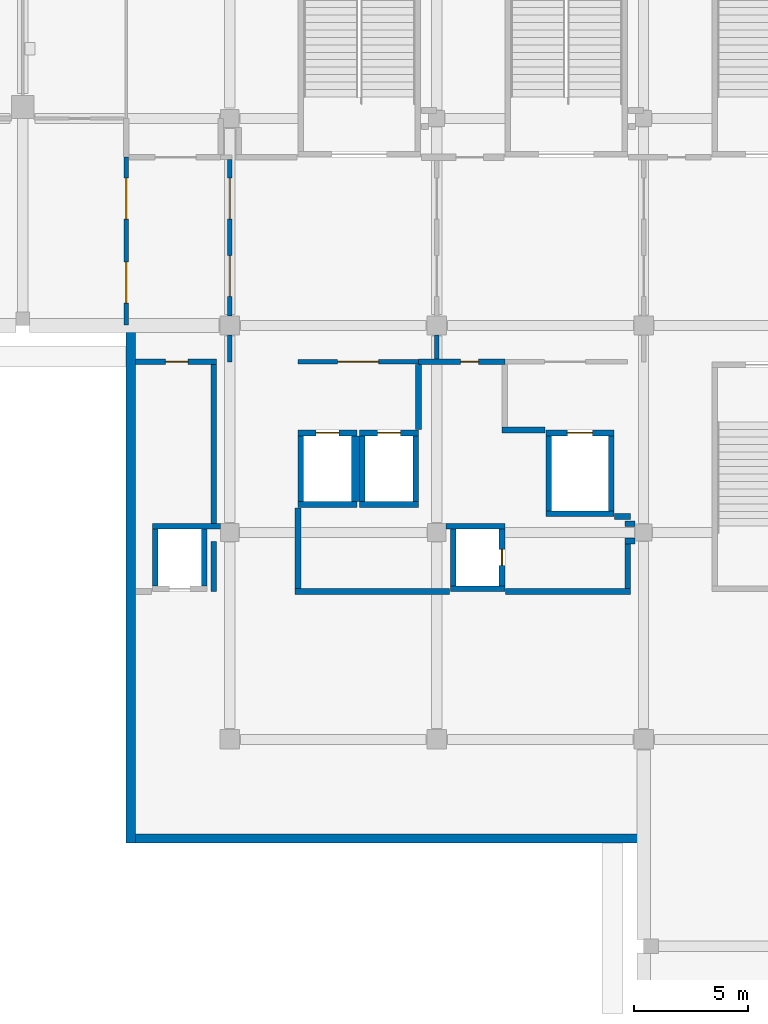
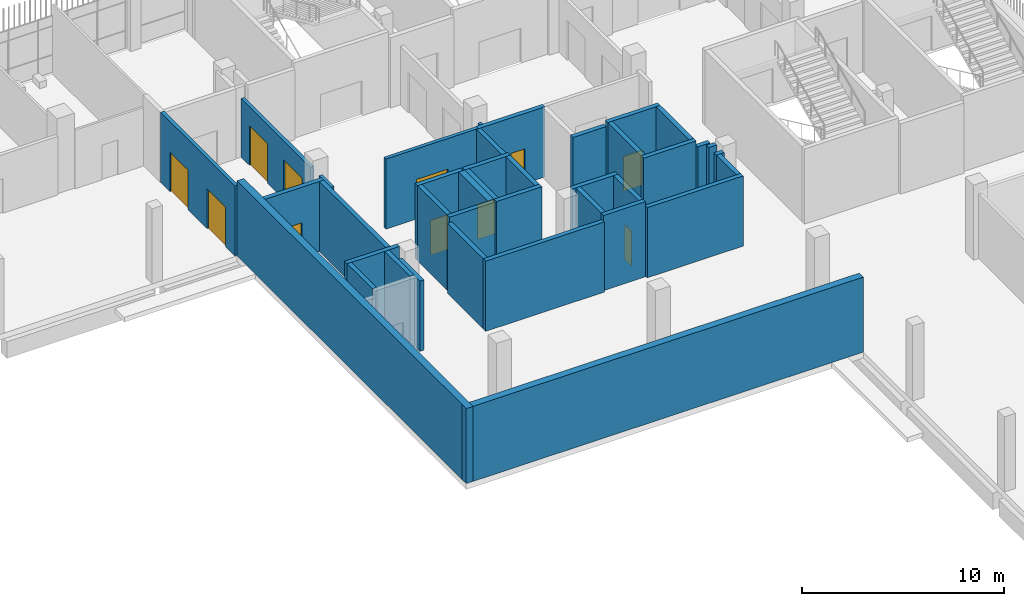
# One storey, part 84 of 126: 39 walls, 11 doors, 11 openings.
"""IFC4 building model written with IfcOpenShell, lengths in metres."""

from ifc_helpers import new_model, si_unit, direction, frame, frame_2d, origin, place, context, subcontext, project, spatial, rectangle, extrude, material, layer, layer_set, type_object, element, fill, save


model = new_model("IFC4")

# Units and contexts
model_context = context("Model", 3, precision=1e-05, world=origin(), true_north=direction((0.0, 1.0)))
body_context = subcontext(model_context, "Body", "Model", "MODEL_VIEW")
ifc_project = project(units=[si_unit("LENGTHUNIT", "METRE"), si_unit("AREAUNIT", "SQUARE_METRE"), si_unit("VOLUMEUNIT", "CUBIC_METRE"), si_unit("PLANEANGLEUNIT", "RADIAN"), si_unit("MASSUNIT", "GRAM", prefix="KILO")], contexts=[model_context])

# Site, building, storey
site_placement = place(None, origin())
site = spatial("IfcSite", under=ifc_project, at=site_placement, CompositionType="ELEMENT")
building_placement = place(site_placement, origin())
building = spatial("IfcBuilding", under=site, at=building_placement, Name="Shirokan Park Arena", CompositionType="ELEMENT")
storey_placement = place(building_placement, frame((0.0, 0.0, 6.3701171875)))
storey = spatial("IfcBuildingStorey", under=building, at=storey_placement, Name="L01", CompositionType="ELEMENT", Elevation=6.3701171875)

# Walls
ifc_material_1 = material(Name="Plaster")
ifc_layer_1 = layer(ifc_material_1, 0.014892578125, Name="Plaster")
ifc_material_2 = material(Name="Concrete blockwork", Category="masonry")
ifc_layer_2 = layer(ifc_material_2, 0.219970703125, Name="Concrete blockwork 220")
ifc_layer_3 = layer(ifc_material_1, 0.014892578125, Name="Plaster")
ifc_layer_set_1 = layer_set([ifc_layer_1, ifc_layer_2, ifc_layer_3], Name="Plaster + Concrete blockwork 220")
wall_type_1 = type_object("IfcWallType", Name="Compartment wall 250", PredefinedType="SOLIDWALL", material=ifc_layer_set_1)
wall_1_placement = place(storey_placement, frame((108.5, 79.300048828125, 0.0), z_axis=(0.0, 0.0, 1.0), x_axis=(0.0, 1.0, 0.0)))
element("IfcWall", 1, at=wall_1_placement, inside=storey, type_object=wall_type_1, Name="Compartment wall 250 L01", PredefinedType="SOLIDWALL", context=body_context, shape_type="SweptSolid", body=[
    extrude(rectangle(XDim=2.199951171875, YDim=0.25, at=frame_2d((1.10009765625, 0.0))), origin(), (0.0, 0.0, 1.0), 4.25),
])
wall_2_placement = place(storey_placement, frame((108.5, 82.300048828125, 0.0), z_axis=(0.0, 0.0, 1.0), x_axis=(0.0, 1.0, 0.0)))
element("IfcWall", 2, at=wall_2_placement, inside=storey, type_object=wall_type_1, Name="Compartment wall 250 L01", PredefinedType="SOLIDWALL", context=body_context, shape_type="SweptSolid", body=[
    extrude(rectangle(XDim=6.974853515625, YDim=0.25, at=frame_2d((3.4873046875, 0.0))), origin(), (0.0, 0.0, 1.0), 4.25),
])

# Wall, opening, door
wall_3_placement = place(storey_placement, frame((108.625, 89.39990234375, 0.0), z_axis=(0.0, 0.0, 1.0), x_axis=(-1.0, 0.0, 0.0)))
wall_3 = element("IfcWall", 3, at=wall_3_placement, inside=storey, type_object=wall_type_1, Name="Compartment wall 250 L01", PredefinedType="SOLIDWALL", context=body_context, shape_type="SweptSolid", body=[
    extrude(rectangle(XDim=3.574951171875, YDim=0.25, at=frame_2d((1.78759765625, 0.0))), origin(), (0.0, 0.0, 1.0), 4.25),
])
opening_1_placement = place(wall_3_placement, frame((1.25, 0.0, 0.0)))
opening_1 = element("IfcOpeningElement", 4, at=opening_1_placement, cuts=wall_3, Name="Opening D-1019", PredefinedType="OPENING", context=body_context, shape_type="SweptSolid", body=[
    extrude(rectangle(XDim=1.0, YDim=2.10009765625, at=frame_2d((0.5, 1.050048828125))), frame((0.0, 0.135009765625, 0.0), z_axis=(0.0, -1.0, 0.0), x_axis=(1.0, 0.0, 0.0)), (0.0, 0.0, 1.0), 0.27001953125),
])
ifc_material_3 = material(Name="Timber door set, fire resisting", Category="wood")
door_type_1 = type_object("IfcDoorType", Name="Door 1000 x 2100", OperationType="SINGLE_SWING_LEFT", PredefinedType="DOOR", material=ifc_material_3)
door_1_placement = place(opening_1_placement, origin())
door_1 = element("IfcDoor", 5, at=door_1_placement, inside=storey, type_object=door_type_1, Name="Door to Kiosk Store 1.39 D-1019", OperationType="SINGLE_SWING_RIGHT", OverallHeight=2.10009765625, OverallWidth=1.0, PredefinedType="DOOR", context=body_context, shape_type="SweptSolid", body=[
    extrude(rectangle(XDim=1.0, YDim=2.10009765625, at=frame_2d((0.5, 1.050048828125))), frame((0.0, 0.02490234375, 0.0), z_axis=(0.0, -1.0, 0.0), x_axis=(1.0, 0.0, 0.0)), (0.0, 0.0, 1.0), 0.050048828125),
])
fill(opening_1, door_1)

# Walls
wall_4_placement = place(storey_placement, frame((112.199951171875, 79.425048828125, 0.0), z_axis=(0.0, 0.0, 1.0), x_axis=(0.0, 1.0, 0.0)))
element("IfcWall", 6, at=wall_4_placement, inside=storey, type_object=wall_type_1, Name="Compartment wall 250 L01", PredefinedType="SOLIDWALL", context=body_context, shape_type="SweptSolid", body=[
    extrude(rectangle(XDim=3.544921875, YDim=0.25, at=frame_2d((1.7724609375, 0.0))), origin(), (0.0, 0.0, 1.0), 4.25),
])
wall_5_placement = place(storey_placement, frame((112.074951171875, 79.300048828125, 0.0), z_axis=(0.0, 0.0, 1.0), x_axis=(1.0, 0.0, 0.0)))
element("IfcWall", 7, at=wall_5_placement, inside=storey, type_object=wall_type_1, Name="Compartment wall 250 L01", PredefinedType="SOLIDWALL", context=body_context, shape_type="SweptSolid", body=[
    extrude(rectangle(XDim=6.795166015625, YDim=0.25, at=frame_2d((3.3974609375, 0.0))), origin(), (0.0, 0.0, 1.0), 4.25),
])
wall_6_placement = place(storey_placement, frame((117.5, 86.429931640625, 0.0), z_axis=(0.0, 0.0, 1.0), x_axis=(0.0, 1.0, 0.0)))
element("IfcWall", 8, at=wall_6_placement, inside=storey, type_object=wall_type_1, Name="Compartment wall 250 L01", PredefinedType="SOLIDWALL", context=body_context, shape_type="SweptSolid", body=[
    extrude(rectangle(XDim=2.844970703125, YDim=0.25, at=frame_2d((1.42236328125, 0.0))), origin(), (0.0, 0.0, 1.0), 4.25),
])

# Wall, opening, door
wall_7_placement = place(storey_placement, frame((117.5, 89.39990234375, 0.0), z_axis=(0.0, 0.0, 1.0), x_axis=(1.0, 0.0, 0.0)))
wall_7 = element("IfcWall", 9, at=wall_7_placement, inside=storey, type_object=wall_type_1, Name="Compartment wall 250 L01", PredefinedType="SOLIDWALL", context=body_context, shape_type="SweptSolid", body=[
    extrude(rectangle(XDim=3.800048828125, YDim=0.25, at=frame_2d((1.89990234375, 0.0))), origin(), (0.0, 0.0, 1.0), 4.25),
])
opening_2_placement = place(wall_7_placement, frame((1.85009765625, 0.0, 0.0)))
opening_2 = element("IfcOpeningElement", 10, at=opening_2_placement, cuts=wall_7, Name="Opening D-1018", PredefinedType="OPENING", context=body_context, shape_type="SweptSolid", body=[
    extrude(rectangle(XDim=0.800048828125, YDim=2.10009765625, at=frame_2d((0.39990234375, 1.050048828125))), frame((0.0, 0.135009765625, 0.0), z_axis=(0.0, -1.0, 0.0), x_axis=(1.0, 0.0, 0.0)), (0.0, 0.0, 1.0), 0.27001953125),
])
door_type_2 = type_object("IfcDoorType", Name="Cleaner store door 800 x 2100", OperationType="SINGLE_SWING_LEFT", PredefinedType="DOOR", material=ifc_material_3)
door_2_placement = place(opening_2_placement, origin())
door_2 = element("IfcDoor", 11, at=door_2_placement, inside=storey, type_object=door_type_2, Name="Door to Cleaner's Store 1.38 D-1018", OperationType="SINGLE_SWING_LEFT", OverallHeight=2.10009765625, OverallWidth=0.800048828125, PredefinedType="DOOR", context=body_context, shape_type="SweptSolid", body=[
    extrude(rectangle(XDim=0.800048828125, YDim=2.10009765625, at=frame_2d((0.39990234375, 1.050048828125))), frame((0.0, 0.02490234375, 0.0), z_axis=(0.0, -1.0, 0.0), x_axis=(1.0, 0.0, 0.0)), (0.0, 0.0, 1.0), 0.050048828125),
])
fill(opening_2, door_2)

# Walls
wall_8_placement = place(storey_placement, frame((121.175048828125, 86.39990234375, 0.0), z_axis=(0.0, 0.0, 1.0), x_axis=(1.0, 0.0, 0.0)))
element("IfcWall", 12, at=wall_8_placement, inside=storey, type_object=wall_type_1, Name="Compartment wall 250 L01", PredefinedType="SOLIDWALL", context=body_context, shape_type="SweptSolid", body=[
    extrude(rectangle(XDim=1.89501953125, YDim=0.25, at=frame_2d((0.947509765625, 0.0))), origin(), (0.0, 0.0, 1.0), 4.25),
])
wall_9_placement = place(storey_placement, frame((126.1298828125, 82.60009765625, 0.0), z_axis=(0.0, 0.0, 1.0), x_axis=(1.0, 0.0, 0.0)))
element("IfcWall", 13, at=wall_9_placement, inside=storey, type_object=wall_type_1, Name="Compartment wall 250 L01", PredefinedType="SOLIDWALL", context=body_context, shape_type="SweptSolid", body=[
    extrude(rectangle(XDim=0.695068359375, YDim=0.25, at=frame_2d((0.34765625, 0.0))), origin(), (0.0, 0.0, 1.0), 4.25),
])
wall_10_placement = place(storey_placement, frame((126.574951171875, 81.52490234375, 0.0), z_axis=(0.0, 0.0, 1.0), x_axis=(1.0, 0.0, 0.0)))
element("IfcWall", 14, at=wall_10_placement, inside=storey, type_object=wall_type_1, Name="Compartment wall 250 L01", PredefinedType="SOLIDWALL", context=body_context, shape_type="SweptSolid", body=[
    extrude(rectangle(XDim=0.449951171875, YDim=0.25, at=frame_2d((0.22509765625, 0.0))), origin(), (0.0, 0.0, 1.0), 4.25),
])
wall_11_placement = place(storey_placement, frame((126.699951171875, 79.425048828125, 0.0), z_axis=(0.0, 0.0, 1.0), x_axis=(0.0, 1.0, 0.0)))
element("IfcWall", 15, at=wall_11_placement, inside=storey, type_object=wall_type_1, Name="Compartment wall 250 L01", PredefinedType="SOLIDWALL", context=body_context, shape_type="SweptSolid", body=[
    extrude(rectangle(XDim=1.974853515625, YDim=0.25, at=frame_2d((0.9873046875, 0.0))), origin(), (0.0, 0.0, 1.0), 4.25),
])
wall_12_placement = place(storey_placement, frame((126.824951171875, 79.300048828125, 0.0), z_axis=(0.0, 0.0, 1.0), x_axis=(-1.0, 0.0, 0.0)))
element("IfcWall", 16, at=wall_12_placement, inside=storey, type_object=wall_type_1, Name="Compartment wall 250 L01", PredefinedType="SOLIDWALL", context=body_context, shape_type="SweptSolid", body=[
    extrude(rectangle(XDim=5.494873046875, YDim=0.25, at=frame_2d((2.74755859375, 0.0))), origin(), (0.0, 0.0, 1.0), 4.25),
])
wall_13_placement = place(storey_placement, frame((127.02490234375, 82.27490234375, 0.0), z_axis=(0.0, 0.0, 1.0), x_axis=(-1.0, 0.0, 0.0)))
element("IfcWall", 17, at=wall_13_placement, inside=storey, type_object=wall_type_1, Name="Compartment wall 250 L01", PredefinedType="SOLIDWALL", context=body_context, shape_type="SweptSolid", body=[
    extrude(rectangle(XDim=0.449951171875, YDim=0.25, at=frame_2d((0.22509765625, 0.0))), origin(), (0.0, 0.0, 1.0), 4.25),
])

# Wall, openings, doors
ifc_material_4 = material(Name="Gypsum board")
ifc_layer_4 = layer(ifc_material_4, 0.02490234375, Name="Gypsum board, two layers")
ifc_material_5 = material(Name="Mineral wool insulation")
ifc_layer_5 = layer(ifc_material_5, 0.14990234375, Name="Mineral wool insulation")
ifc_layer_6 = layer(ifc_material_4, 0.02490234375, Name="Gypsum board, two layers")
ifc_layer_set_2 = layer_set([ifc_layer_4, ifc_layer_5, ifc_layer_6], Name="Gypsum board, two layers + Mineral wool insulation")
wall_type_2 = type_object("IfcWallType", Name="Corridor wall 200", PredefinedType="PARTITIONING", material=ifc_layer_set_2)
wall_14_placement = place(storey_placement, frame((104.64990234375, 91.030029296875, 0.0), z_axis=(0.0, 0.0, 1.0), x_axis=(0.0, 1.0, 0.0)))
wall_14 = element("IfcWall", 18, at=wall_14_placement, inside=storey, type_object=wall_type_2, Name="Corridor wall 200 L01", PredefinedType="PARTITIONING", context=body_context, shape_type="SweptSolid", body=[
    extrude(rectangle(XDim=7.369873046875, YDim=0.199951171875, at=frame_2d((3.68505859375, 0.0))), origin(), (0.0, 0.0, 1.0), 4.25),
])
opening_3_placement = place(wall_14_placement, frame((0.949951171875, 0.0, 0.0)))
opening_3 = element("IfcOpeningElement", 19, at=opening_3_placement, cuts=wall_14, Name="Opening D-1083", PredefinedType="OPENING", context=body_context, shape_type="SweptSolid", body=[
    extrude(rectangle(XDim=1.800048828125, YDim=2.39990234375, at=frame_2d((0.89990234375, 1.199951171875))), frame((0.0, 0.10986328125, 0.0), z_axis=(0.0, -1.0, 0.0), x_axis=(1.0, 0.0, 0.0)), (0.0, 0.0, 1.0), 0.219970703125),
])
opening_4_placement = place(wall_14_placement, frame((4.64990234375, 0.0, 0.0)))
opening_4 = element("IfcOpeningElement", 20, at=opening_4_placement, cuts=wall_14, Name="Opening D-1084", PredefinedType="OPENING", context=body_context, shape_type="SweptSolid", body=[
    extrude(rectangle(XDim=1.800048828125, YDim=2.39990234375, at=frame_2d((0.89990234375, 1.199951171875))), frame((0.0, 0.10986328125, 0.0), z_axis=(0.0, -1.0, 0.0), x_axis=(1.0, 0.0, 0.0)), (0.0, 0.0, 1.0), 0.219970703125),
])
ifc_material_6 = material(Name="Glazed steel door set, fire resisting", Category="steel")
door_type_3 = type_object("IfcDoorType", Name="Lift lobby door 1800 x 2400", OperationType="DOUBLE_DOOR_SINGLE_SWING", PredefinedType="DOOR", material=ifc_material_6)
door_3_placement = place(opening_3_placement, origin())
door_3 = element("IfcDoor", 21, at=door_3_placement, inside=storey, type_object=door_type_3, Name="Door between Stair Lobby 3.1.5 and Concourse L01 North D-1083", OperationType="DOUBLE_DOOR_SINGLE_SWING", OverallHeight=2.39990234375, OverallWidth=1.800048828125, PredefinedType="DOOR", context=body_context, shape_type="SweptSolid", body=[
    extrude(rectangle(XDim=1.800048828125, YDim=2.39990234375, at=frame_2d((0.89990234375, 1.199951171875))), frame((0.0, 0.02490234375, 0.0), z_axis=(0.0, -1.0, 0.0), x_axis=(1.0, 0.0, 0.0)), (0.0, 0.0, 1.0), 0.050048828125),
])
fill(opening_3, door_3)
door_4_placement = place(opening_4_placement, origin())
door_4 = element("IfcDoor", 22, at=door_4_placement, inside=storey, type_object=door_type_3, Name="Door between Stair Lobby 3.1.5 and Concourse L01 North D-1084", OperationType="DOUBLE_DOOR_SINGLE_SWING", OverallHeight=2.39990234375, OverallWidth=1.800048828125, PredefinedType="DOOR", context=body_context, shape_type="SweptSolid", body=[
    extrude(rectangle(XDim=1.800048828125, YDim=2.39990234375, at=frame_2d((0.89990234375, 1.199951171875))), frame((0.0, 0.02490234375, 0.0), z_axis=(0.0, -1.0, 0.0), x_axis=(1.0, 0.0, 0.0)), (0.0, 0.0, 1.0), 0.050048828125),
])
fill(opening_4, door_4)

# Wall
wall_15_placement = place(storey_placement, frame((109.199951171875, 89.39990234375, 0.0), z_axis=(0.0, 0.0, 1.0), x_axis=(0.0, 1.0, 0.0)))
element("IfcWall", 23, at=wall_15_placement, inside=storey, type_object=wall_type_2, Name="Corridor wall 200 L01", PredefinedType="PARTITIONING", context=body_context, shape_type="SweptSolid", body=[
    extrude(rectangle(XDim=1.175048828125, YDim=0.199951171875, at=frame_2d((0.58740234375, 0.0))), origin(), (0.0, 0.0, 1.0), 3.5498046875),
])

# Wall, openings, doors
wall_16_placement = place(storey_placement, frame((109.199951171875, 91.425048828125, 0.0), z_axis=(0.0, 0.0, 1.0), x_axis=(0.0, 1.0, 0.0)))
wall_16 = element("IfcWall", 24, at=wall_16_placement, inside=storey, type_object=wall_type_2, Name="Corridor wall 200 L01", PredefinedType="PARTITIONING", context=body_context, shape_type="SweptSolid", body=[
    extrude(rectangle(XDim=6.875, YDim=0.199951171875, at=frame_2d((3.4375, 0.0))), origin(), (0.0, 0.0, 1.0), 3.5498046875),
])
opening_5_placement = place(wall_16_placement, frame((0.85009765625, 0.0, 0.0)))
opening_5 = element("IfcOpeningElement", 25, at=opening_5_placement, cuts=wall_16, Name="Opening D-1080", PredefinedType="OPENING", context=body_context, shape_type="SweptSolid", body=[
    extrude(rectangle(XDim=1.800048828125, YDim=2.39990234375, at=frame_2d((0.89990234375, 1.199951171875))), frame((0.0, 0.10986328125, 0.0), z_axis=(0.0, -1.0, 0.0), x_axis=(1.0, 0.0, 0.0)), (0.0, 0.0, 1.0), 0.219970703125),
])
opening_6_placement = place(wall_16_placement, frame((4.25, 0.0, 0.0)))
opening_6 = element("IfcOpeningElement", 26, at=opening_6_placement, cuts=wall_16, Name="Opening D-1081", PredefinedType="OPENING", context=body_context, shape_type="SweptSolid", body=[
    extrude(rectangle(XDim=1.800048828125, YDim=2.39990234375, at=frame_2d((0.89990234375, 1.199951171875))), frame((0.0, 0.10986328125, 0.0), z_axis=(0.0, -1.0, 0.0), x_axis=(1.0, 0.0, 0.0)), (0.0, 0.0, 1.0), 0.219970703125),
])
door_5_placement = place(opening_5_placement, origin())
door_5 = element("IfcDoor", 27, at=door_5_placement, inside=storey, type_object=door_type_3, Name="Door between Retail Arcade 3.1.4 and Stair Lobby 3.1.5 D-1080", OperationType="DOUBLE_DOOR_SINGLE_SWING", OverallHeight=2.39990234375, OverallWidth=1.800048828125, PredefinedType="DOOR", context=body_context, shape_type="SweptSolid", body=[
    extrude(rectangle(XDim=1.800048828125, YDim=2.39990234375, at=frame_2d((0.89990234375, 1.199951171875))), frame((0.0, 0.02490234375, 0.0), z_axis=(0.0, -1.0, 0.0), x_axis=(1.0, 0.0, 0.0)), (0.0, 0.0, 1.0), 0.050048828125),
])
fill(opening_5, door_5)
door_6_placement = place(opening_6_placement, origin())
door_6 = element("IfcDoor", 28, at=door_6_placement, inside=storey, type_object=door_type_3, Name="Door between Retail Arcade 3.1.4 and Stair Lobby 3.1.5 D-1081", OperationType="DOUBLE_DOOR_SINGLE_SWING", OverallHeight=2.39990234375, OverallWidth=1.800048828125, PredefinedType="DOOR", context=body_context, shape_type="SweptSolid", body=[
    extrude(rectangle(XDim=1.800048828125, YDim=2.39990234375, at=frame_2d((0.89990234375, 1.199951171875))), frame((0.0, 0.02490234375, 0.0), z_axis=(0.0, -1.0, 0.0), x_axis=(1.0, 0.0, 0.0)), (0.0, 0.0, 1.0), 0.050048828125),
])
fill(opening_6, door_6)

# Wall, opening, door
wall_17_placement = place(storey_placement, frame((117.5, 89.39990234375, 0.0), z_axis=(0.0, 0.0, 1.0), x_axis=(-1.0, 0.0, 0.0)))
wall_17 = element("IfcWall", 29, at=wall_17_placement, inside=storey, type_object=wall_type_2, Name="Corridor wall 200 L01", PredefinedType="PARTITIONING", context=body_context, shape_type="SweptSolid", body=[
    extrude(rectangle(XDim=5.300048828125, YDim=0.199951171875, at=frame_2d((2.64990234375, 0.0))), origin(), (0.0, 0.0, 1.0), 4.25),
])
opening_7_placement = place(wall_17_placement, frame((1.75, 0.0, 0.0)))
opening_7 = element("IfcOpeningElement", 30, at=opening_7_placement, cuts=wall_17, Name="Opening D-1082", PredefinedType="OPENING", context=body_context, shape_type="SweptSolid", body=[
    extrude(rectangle(XDim=1.800048828125, YDim=2.39990234375, at=frame_2d((0.89990234375, 1.199951171875))), frame((0.0, 0.10986328125, 0.0), z_axis=(0.0, -1.0, 0.0), x_axis=(1.0, 0.0, 0.0)), (0.0, 0.0, 1.0), 0.219970703125),
])
door_7_placement = place(opening_7_placement, origin())
door_7 = element("IfcDoor", 31, at=door_7_placement, inside=storey, type_object=door_type_3, Name="Door between Retail Arcade 3.1.4 and Lift Lobby 3.1 D-1082", OperationType="DOUBLE_DOOR_SINGLE_SWING", OverallHeight=2.39990234375, OverallWidth=1.800048828125, PredefinedType="DOOR", context=body_context, shape_type="SweptSolid", body=[
    extrude(rectangle(XDim=1.800048828125, YDim=2.39990234375, at=frame_2d((0.89990234375, 1.199951171875))), frame((0.0, 0.02490234375, 0.0), z_axis=(0.0, -1.0, 0.0), x_axis=(1.0, 0.0, 0.0)), (0.0, 0.0, 1.0), 0.050048828125),
])
fill(opening_7, door_7)

# Walls
wall_18_placement = place(storey_placement, frame((118.300048828125, 89.52490234375, 0.0), z_axis=(0.0, 0.0, 1.0), x_axis=(0.0, 1.0, 0.0)))
element("IfcWall", 32, at=wall_18_placement, inside=storey, type_object=wall_type_2, Name="Corridor wall 200 L01", PredefinedType="PARTITIONING", context=body_context, shape_type="SweptSolid", body=[
    extrude(rectangle(XDim=1.050048828125, YDim=0.199951171875, at=frame_2d((0.52490234375, 0.0))), origin(), (0.0, 0.0, 1.0), 3.5498046875),
])
ifc_material_7 = material(Name="Concrete C35", Category="concrete")
ifc_layer_7 = layer(ifc_material_7, 0.39990234375)
ifc_layer_set_3 = layer_set([ifc_layer_7], Name="Concrete C35 400 mm")
wall_type_3 = type_object("IfcWallType", Name="RC flank wall 400", PredefinedType="SHEAR", material=ifc_layer_set_3)
for number, where, z_axis, x_axis, name in (
    (33, (104.85009765625, 68.25, 0.0), (0.0, 0.0, 1.0), (0.0, 1.0, 0.0), "Flank wall N2 L01"),
    (34, (104.64990234375, 68.449951171875, 0.0), (0.0, 0.0, 1.0), (1.0, 0.0, 0.0), "Flank wall E2 L01"),
):
    element("IfcWall", number, at=place(storey_placement, frame(where, z_axis=z_axis, x_axis=x_axis)), inside=storey, type_object=wall_type_3, Name=name, PredefinedType="SHEAR", context=body_context, shape_type="SweptSolid", body=[
        extrude(rectangle(XDim=22.75, YDim=0.39990234375, at=frame_2d((11.375, 0.0))), origin(), (0.0, 0.0, 1.0), 4.5498046875),
    ])
ifc_material_8 = material(Name="Concrete C40/50", Category="concrete")
ifc_layer_8 = layer(ifc_material_8, 0.25)
ifc_layer_set_4 = layer_set([ifc_layer_8], Name="Concrete C40/50 250 mm")
wall_type_4 = type_object("IfcWallType", Name="RC shear wall 250", PredefinedType="SHEAR", material=ifc_layer_set_4)
wall_19_placement = place(storey_placement, frame((117.5, 83.125, 0.0), z_axis=(0.0, 0.0, 1.0), x_axis=(-1.0, 0.0, 0.0)))
element("IfcWall", 35, at=wall_19_placement, inside=storey, type_object=wall_type_4, Name="Shaft wall Passenger Lift 3.1 S L01", PredefinedType="SHEAR", context=body_context, shape_type="SweptSolid", body=[
    extrude(rectangle(XDim=2.60009765625, YDim=0.25, at=frame_2d((1.300048828125, 0.0))), origin(), (0.0, 0.0, 1.0), 4.5498046875),
])

# Wall, opening, door
wall_20_placement = place(storey_placement, frame((117.5, 86.27490234375, 0.0), z_axis=(0.0, 0.0, 1.0), x_axis=(-1.0, 0.0, 0.0)))
wall_20 = element("IfcWall", 36, at=wall_20_placement, inside=storey, type_object=wall_type_4, Name="Shaft wall Passenger Lift 3.1 N L01", PredefinedType="SHEAR", context=body_context, shape_type="SweptSolid", body=[
    extrude(rectangle(XDim=2.60009765625, YDim=0.25, at=frame_2d((1.300048828125, 0.0))), origin(), (0.0, 0.0, 1.0), 4.5498046875),
])
opening_8_placement = place(wall_20_placement, frame((0.800048828125, 0.0, 0.0)))
opening_8 = element("IfcOpeningElement", 37, at=opening_8_placement, cuts=wall_20, Name="Opening LD26", PredefinedType="OPENING", context=body_context, shape_type="SweptSolid", body=[
    extrude(rectangle(XDim=1.0, YDim=2.10009765625, at=frame_2d((0.5, 1.050048828125))), frame((0.0, 0.135009765625, 0.0), z_axis=(0.0, -1.0, 0.0), x_axis=(1.0, 0.0, 0.0)), (0.0, 0.0, 1.0), 0.27001953125),
])
ifc_material_9 = material(Name="Stainless steel", Category="steel")
door_type_4 = type_object("IfcDoorType", Name="Lift landing door 1000x2100", OperationType="DOUBLE_DOOR_SLIDING", PredefinedType="DOOR", material=ifc_material_9)
door_8_placement = place(opening_8_placement, origin())
door_8 = element("IfcDoor", 38, at=door_8_placement, inside=storey, type_object=door_type_4, Name="Lift landing door Passenger Lift 3.1 L01", OperationType="DOUBLE_DOOR_SLIDING", OverallHeight=2.10009765625, OverallWidth=1.0, PredefinedType="DOOR", context=body_context, shape_type="SweptSolid", body=[
    extrude(rectangle(XDim=1.0, YDim=2.10009765625, at=frame_2d((0.5, 1.050048828125))), frame((0.0, 0.02490234375, 0.0), z_axis=(0.0, -1.0, 0.0), x_axis=(1.0, 0.0, 0.0)), (0.0, 0.0, 1.0), 0.050048828125),
])
fill(opening_8, door_8)

# Walls
for number, where, z_axis, x_axis, name in (
    (39, (115.02490234375, 86.14990234375, 0.0), (0.0, 0.0, 1.0), (0.0, -1.0, 0.0), "Shaft wall Passenger Lift 3.1 W L01"),
    (40, (117.375, 86.14990234375, 0.0), (0.0, 0.0, 1.0), (0.0, -1.0, 0.0), "Shaft wall Passenger Lift 3.1 E L01"),
):
    element("IfcWall", number, at=place(storey_placement, frame(where, z_axis=z_axis, x_axis=x_axis)), inside=storey, type_object=wall_type_4, Name=name, PredefinedType="SHEAR", context=body_context, shape_type="SweptSolid", body=[
        extrude(rectangle(XDim=2.89990234375, YDim=0.25, at=frame_2d((1.449951171875, 0.0))), origin(), (0.0, 0.0, 1.0), 4.5498046875),
    ])
wall_21_placement = place(storey_placement, frame((114.800048828125, 83.125, 0.0), z_axis=(0.0, 0.0, 1.0), x_axis=(-1.0, 0.0, 0.0)))
element("IfcWall", 41, at=wall_21_placement, inside=storey, type_object=wall_type_4, Name="Shaft wall Passenger Lift 3.2 S L01", PredefinedType="SHEAR", context=body_context, shape_type="SweptSolid", body=[
    extrude(rectangle(XDim=2.60009765625, YDim=0.25, at=frame_2d((1.300048828125, 0.0))), origin(), (0.0, 0.0, 1.0), 4.5498046875),
])

# Wall, opening, door
wall_22_placement = place(storey_placement, frame((114.800048828125, 86.27490234375, 0.0), z_axis=(0.0, 0.0, 1.0), x_axis=(-1.0, 0.0, 0.0)))
wall_22 = element("IfcWall", 42, at=wall_22_placement, inside=storey, type_object=wall_type_4, Name="Shaft wall Passenger Lift 3.2 N L01", PredefinedType="SHEAR", context=body_context, shape_type="SweptSolid", body=[
    extrude(rectangle(XDim=2.60009765625, YDim=0.25, at=frame_2d((1.300048828125, 0.0))), origin(), (0.0, 0.0, 1.0), 4.5498046875),
])
opening_9_placement = place(wall_22_placement, frame((0.800048828125, 0.0, 0.0)))
opening_9 = element("IfcOpeningElement", 43, at=opening_9_placement, cuts=wall_22, Name="Opening LD32", PredefinedType="OPENING", context=body_context, shape_type="SweptSolid", body=[
    extrude(rectangle(XDim=1.0, YDim=2.10009765625, at=frame_2d((0.5, 1.050048828125))), frame((0.0, 0.135009765625, 0.0), z_axis=(0.0, -1.0, 0.0), x_axis=(1.0, 0.0, 0.0)), (0.0, 0.0, 1.0), 0.27001953125),
])
door_9_placement = place(opening_9_placement, origin())
door_9 = element("IfcDoor", 44, at=door_9_placement, inside=storey, type_object=door_type_4, Name="Lift landing door Passenger Lift 3.2 L01", OperationType="DOUBLE_DOOR_SLIDING", OverallHeight=2.10009765625, OverallWidth=1.0, PredefinedType="DOOR", context=body_context, shape_type="SweptSolid", body=[
    extrude(rectangle(XDim=1.0, YDim=2.10009765625, at=frame_2d((0.5, 1.050048828125))), frame((0.0, 0.02490234375, 0.0), z_axis=(0.0, -1.0, 0.0), x_axis=(1.0, 0.0, 0.0)), (0.0, 0.0, 1.0), 0.050048828125),
])
fill(opening_9, door_9)

# Walls
wall_23_placement = place(storey_placement, frame((112.324951171875, 86.14990234375, 0.0), z_axis=(0.0, 0.0, 1.0), x_axis=(0.0, -1.0, 0.0)))
element("IfcWall", 45, at=wall_23_placement, inside=storey, type_object=wall_type_4, Name="Shaft wall Passenger Lift 3.2 W L01", PredefinedType="SHEAR", context=body_context, shape_type="SweptSolid", body=[
    extrude(rectangle(XDim=2.89990234375, YDim=0.25, at=frame_2d((1.449951171875, 0.0))), origin(), (0.0, 0.0, 1.0), 4.5498046875),
])
wall_24_placement = place(storey_placement, frame((108.800048828125, 82.175048828125, 0.0), z_axis=(0.0, 0.0, 1.0), x_axis=(-1.0, 0.0, 0.0)))
element("IfcWall", 46, at=wall_24_placement, inside=storey, type_object=wall_type_4, Name="Shaft wall Services Riser 3.1 N L01", PredefinedType="SHEAR", context=body_context, shape_type="SweptSolid", body=[
    extrude(rectangle(XDim=3.0, YDim=0.25, at=frame_2d((1.5, 0.0))), origin(), (0.0, 0.0, 1.0), 4.5498046875),
])
for number, where, z_axis, x_axis, name in (
    (47, (105.925048828125, 82.050048828125, 0.0), (0.0, 0.0, 1.0), (0.0, -1.0, 0.0), "Shaft wall Services Riser 3.1 W L01"),
    (48, (108.074951171875, 82.050048828125, 0.0), (0.0, 0.0, 1.0), (0.0, -1.0, 0.0), "Shaft wall Services Riser 3.1 E L01"),
):
    element("IfcWall", number, at=place(storey_placement, frame(where, z_axis=z_axis, x_axis=x_axis)), inside=storey, type_object=wall_type_4, Name=name, PredefinedType="SHEAR", context=body_context, shape_type="SweptSolid", body=[
        extrude(rectangle(XDim=2.5, YDim=0.25, at=frame_2d((1.25, 0.0))), origin(), (0.0, 0.0, 1.0), 4.5498046875),
    ])
wall_25_placement = place(storey_placement, frame((121.300048828125, 79.425048828125, 0.0), z_axis=(0.0, 0.0, 1.0), x_axis=(-1.0, 0.0, 0.0)))
element("IfcWall", 49, at=wall_25_placement, inside=storey, type_object=wall_type_4, Name="Shaft wall Services Riser 3.2 S L01", PredefinedType="SHEAR", context=body_context, shape_type="SweptSolid", body=[
    extrude(rectangle(XDim=2.400146484375, YDim=0.25, at=frame_2d((1.2001953125, 0.0))), origin(), (0.0, 0.0, 1.0), 4.5498046875),
])
wall_26_placement = place(storey_placement, frame((121.300048828125, 82.175048828125, 0.0), z_axis=(0.0, 0.0, 1.0), x_axis=(-1.0, 0.0, 0.0)))
element("IfcWall", 50, at=wall_26_placement, inside=storey, type_object=wall_type_4, Name="Shaft wall Services Riser 3.2 N L01", PredefinedType="SHEAR", context=body_context, shape_type="SweptSolid", body=[
    extrude(rectangle(XDim=2.60009765625, YDim=0.25, at=frame_2d((1.300048828125, 0.0))), origin(), (0.0, 0.0, 1.0), 4.5498046875),
])
wall_27_placement = place(storey_placement, frame((119.02490234375, 82.050048828125, 0.0), z_axis=(0.0, 0.0, 1.0), x_axis=(0.0, -1.0, 0.0)))
element("IfcWall", 51, at=wall_27_placement, inside=storey, type_object=wall_type_4, Name="Shaft wall Services Riser 3.2 W L01", PredefinedType="SHEAR", context=body_context, shape_type="SweptSolid", body=[
    extrude(rectangle(XDim=2.5, YDim=0.25, at=frame_2d((1.25, 0.0))), origin(), (0.0, 0.0, 1.0), 4.5498046875),
])

# Wall, opening, door
wall_28_placement = place(storey_placement, frame((121.175048828125, 82.050048828125, 0.0), z_axis=(0.0, 0.0, 1.0), x_axis=(0.0, -1.0, 0.0)))
wall_28 = element("IfcWall", 52, at=wall_28_placement, inside=storey, type_object=wall_type_4, Name="Shaft wall Services Riser 3.2 E L01", PredefinedType="SHEAR", context=body_context, shape_type="SweptSolid", body=[
    extrude(rectangle(XDim=2.5, YDim=0.25, at=frame_2d((1.25, 0.0))), origin(), (0.0, 0.0, 1.0), 4.5498046875),
])
opening_10_placement = place(wall_28_placement, frame((0.89990234375, 0.0, 0.0)))
opening_10 = element("IfcOpeningElement", 53, at=opening_10_placement, cuts=wall_28, Name="Opening D-1100", PredefinedType="OPENING", context=body_context, shape_type="SweptSolid", body=[
    extrude(rectangle(XDim=0.699951171875, YDim=2.10009765625, at=frame_2d((0.35009765625, 1.050048828125))), frame((0.0, 0.135009765625, 0.0), z_axis=(0.0, -1.0, 0.0), x_axis=(1.0, 0.0, 0.0)), (0.0, 0.0, 1.0), 0.27001953125),
])
ifc_material_10 = material(Name="Steel door set, fire resisting", Category="steel")
door_type_5 = type_object("IfcDoorType", Name="Mechanical riser door 700 x 2100", OperationType="SINGLE_SWING_LEFT", PredefinedType="DOOR", material=ifc_material_10)
door_10_placement = place(opening_10_placement, origin())
door_10 = element("IfcDoor", 54, at=door_10_placement, inside=storey, type_object=door_type_5, Name="Riser access door Services Riser 3.2 D-1100", OperationType="SINGLE_SWING_RIGHT", OverallHeight=2.10009765625, OverallWidth=0.699951171875, PredefinedType="DOOR", context=body_context, shape_type="SweptSolid", body=[
    extrude(rectangle(XDim=0.699951171875, YDim=2.10009765625, at=frame_2d((0.35009765625, 1.050048828125))), frame((0.0, 0.02490234375, 0.0), z_axis=(0.0, -1.0, 0.0), x_axis=(1.0, 0.0, 0.0)), (0.0, 0.0, 1.0), 0.050048828125),
])
fill(opening_10, door_10)

# Wall
wall_29_placement = place(storey_placement, frame((126.10009765625, 82.72509765625, 0.0), z_axis=(0.0, 0.0, 1.0), x_axis=(-1.0, 0.0, 0.0)))
element("IfcWall", 55, at=wall_29_placement, inside=storey, type_object=wall_type_4, Name="Shaft wall Service Lift 3 S L01", PredefinedType="SHEAR", context=body_context, shape_type="SweptSolid", body=[
    extrude(rectangle(XDim=3.0, YDim=0.25, at=frame_2d((1.5, 0.0))), origin(), (0.0, 0.0, 1.0), 4.5498046875),
])

# Wall, opening, door
wall_30_placement = place(storey_placement, frame((126.10009765625, 86.27490234375, 0.0), z_axis=(0.0, 0.0, 1.0), x_axis=(-1.0, 0.0, 0.0)))
wall_30 = element("IfcWall", 56, at=wall_30_placement, inside=storey, type_object=wall_type_4, Name="Shaft wall Service Lift 3 N L01", PredefinedType="SHEAR", context=body_context, shape_type="SweptSolid", body=[
    extrude(rectangle(XDim=3.0, YDim=0.25, at=frame_2d((1.5, 0.0))), origin(), (0.0, 0.0, 1.0), 4.5498046875),
])
opening_11_placement = place(wall_30_placement, frame((0.949951171875, 0.0, 0.0)))
opening_11 = element("IfcOpeningElement", 57, at=opening_11_placement, cuts=wall_30, Name="Opening LD64", PredefinedType="OPENING", context=body_context, shape_type="SweptSolid", body=[
    extrude(rectangle(XDim=1.10009765625, YDim=2.10009765625, at=frame_2d((0.550048828125, 1.050048828125))), frame((0.0, 0.135009765625, 0.0), z_axis=(0.0, -1.0, 0.0), x_axis=(1.0, 0.0, 0.0)), (0.0, 0.0, 1.0), 0.27001953125),
])
door_type_6 = type_object("IfcDoorType", Name="Lift landing door 1100x2100", OperationType="DOUBLE_DOOR_SLIDING", PredefinedType="DOOR", material=ifc_material_9)
door_11_placement = place(opening_11_placement, origin())
door_11 = element("IfcDoor", 58, at=door_11_placement, inside=storey, type_object=door_type_6, Name="Lift landing door Service Lift 3 L01", OperationType="DOUBLE_DOOR_SLIDING", OverallHeight=2.10009765625, OverallWidth=1.10009765625, PredefinedType="DOOR", context=body_context, shape_type="SweptSolid", body=[
    extrude(rectangle(XDim=1.10009765625, YDim=2.10009765625, at=frame_2d((0.550048828125, 1.050048828125))), frame((0.0, 0.02490234375, 0.0), z_axis=(0.0, -1.0, 0.0), x_axis=(1.0, 0.0, 0.0)), (0.0, 0.0, 1.0), 0.050048828125),
])
fill(opening_11, door_11)

# Walls
for number, where, z_axis, x_axis, name in (
    (59, (123.22509765625, 86.14990234375, 0.0), (0.0, 0.0, 1.0), (0.0, -1.0, 0.0), "Shaft wall Service Lift 3 W L01"),
    (60, (125.97509765625, 86.14990234375, 0.0), (0.0, 0.0, 1.0), (0.0, -1.0, 0.0), "Shaft wall Service Lift 3 E L01"),
):
    element("IfcWall", number, at=place(storey_placement, frame(where, z_axis=z_axis, x_axis=x_axis)), inside=storey, type_object=wall_type_4, Name=name, PredefinedType="SHEAR", context=body_context, shape_type="SweptSolid", body=[
        extrude(rectangle(XDim=3.2998046875, YDim=0.25, at=frame_2d((1.64990234375, 0.0))), origin(), (0.0, 0.0, 1.0), 4.5498046875),
    ])
ifc_layer_9 = layer(ifc_material_8, 0.35009765625)
ifc_layer_set_5 = layer_set([ifc_layer_9], Name="Concrete C40/50 350 mm")
wall_type_5 = type_object("IfcWallType", Name="RC shear wall 350", PredefinedType="SHEAR", material=ifc_layer_set_5)
wall_31_placement = place(storey_placement, frame((114.72509765625, 86.14990234375, 0.0), z_axis=(0.0, 0.0, 1.0), x_axis=(0.0, -1.0, 0.0)))
element("IfcWall", 61, at=wall_31_placement, inside=storey, type_object=wall_type_5, Name="Shaft wall Passenger Lift 3.2 E L01", PredefinedType="SHEAR", context=body_context, shape_type="SweptSolid", body=[
    extrude(rectangle(XDim=2.89990234375, YDim=0.35009765625, at=frame_2d((1.449951171875, 0.0))), origin(), (0.0, 0.0, 1.0), 4.5498046875),
])

save(model, "model.ifc")
